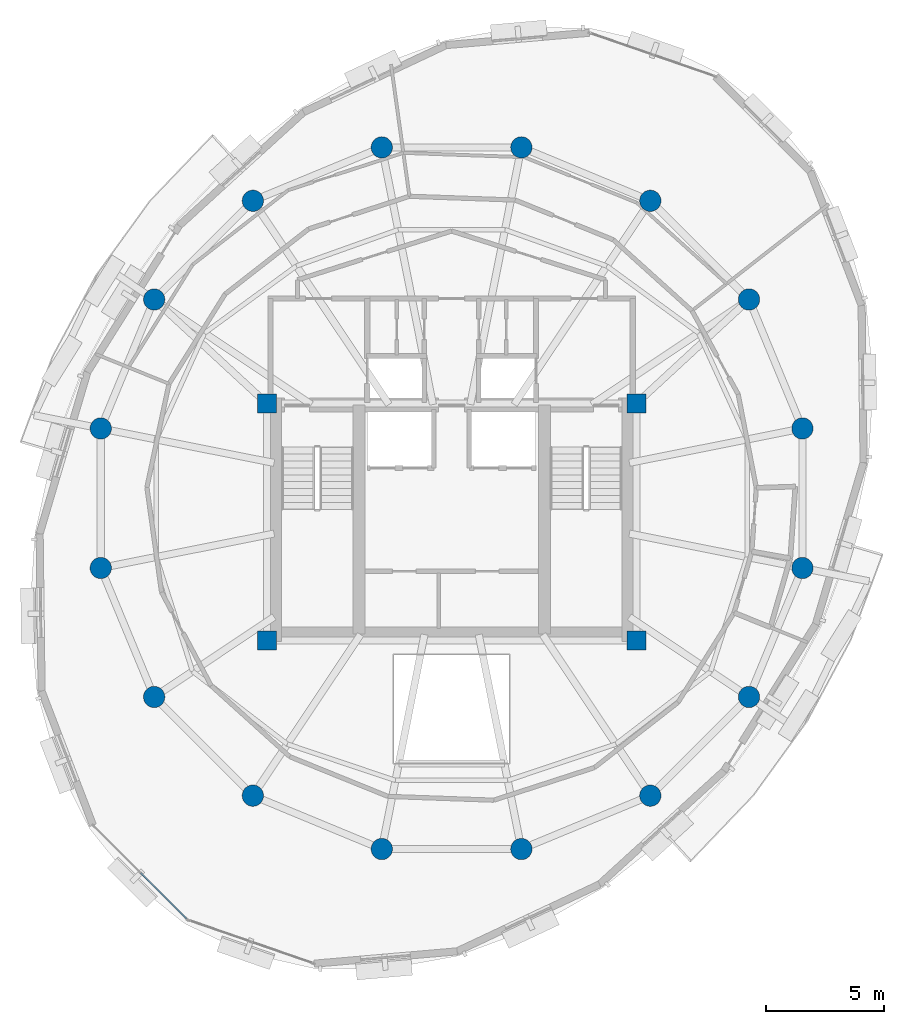
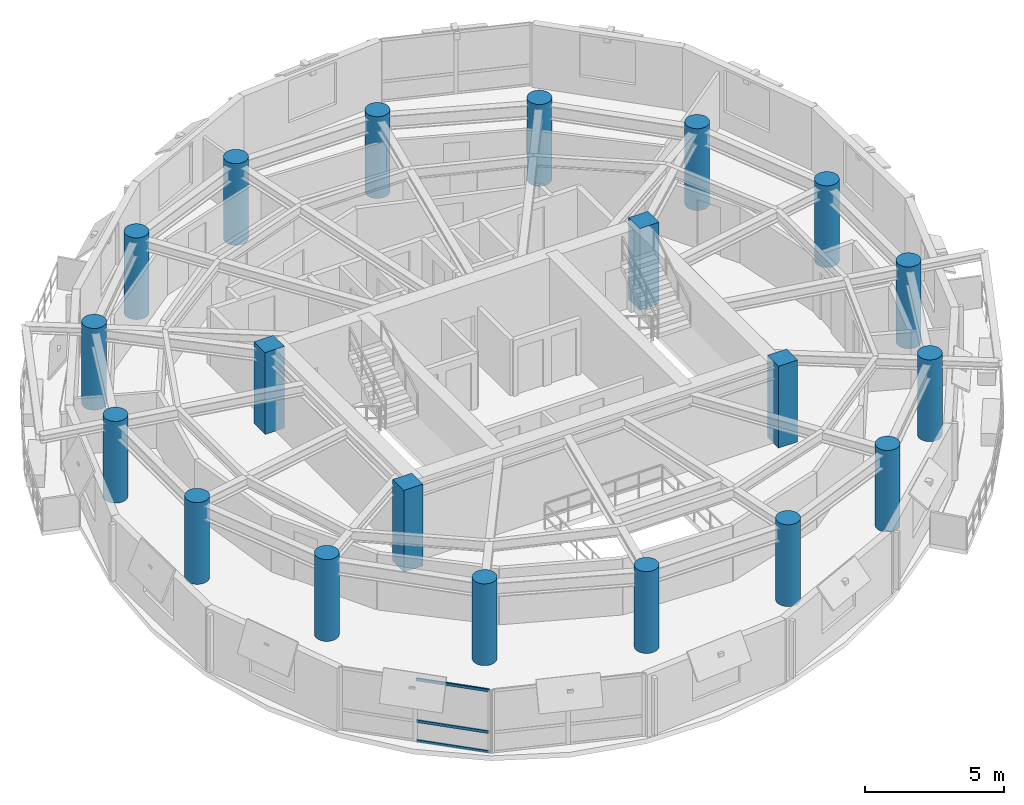
# One storey, part 1 of 11: 20 columns, 3 members, 1 element without a shape of its own.
"""IFC4 building model written with IfcOpenShell, lengths in metres."""

from ifc_helpers import new_model, si_unit, direction, frame, origin, origin_2d, place, context, subcontext, project, spatial, rectangle, hollow_rectangle, circle, extrude, material, layer, layer_set, material_profile, profile_set, type_object, element, aggregate, save


model = new_model("IFC4")

# Units and contexts
model_context = context("Model", 3, precision=1e-05, world=origin(), true_north=direction((0.0, 1.0)))
body_context = subcontext(model_context, "Body", "Model", "MODEL_VIEW")
ifc_project = project(units=[si_unit("LENGTHUNIT", "METRE"), si_unit("AREAUNIT", "SQUARE_METRE"), si_unit("VOLUMEUNIT", "CUBIC_METRE"), si_unit("PLANEANGLEUNIT", "RADIAN"), si_unit("MASSUNIT", "GRAM", prefix="KILO"), si_unit("THERMODYNAMICTEMPERATUREUNIT", "KELVIN"), si_unit("POWERUNIT", "WATT")], contexts=[model_context])

# Site, building, storey
site_placement = place(None, origin())
site = spatial("IfcSite", under=ifc_project, at=site_placement, CompositionType="ELEMENT")
building_placement = place(site_placement, origin())
building = spatial("IfcBuilding", under=site, at=building_placement, Name="Ocrelia Relay Tower", CompositionType="ELEMENT")
storey_placement = place(building_placement, frame((0.0, 0.0, 270.0)))
storey = spatial("IfcBuildingStorey", under=building, at=storey_placement, Name="L67", CompositionType="ELEMENT", Elevation=270.0)

# Columns
ifc_material_1 = material(Name="Concrete C50/60", Category="concrete")
ifc_material_profile_1 = material_profile(ifc_material_1, circle(Radius=0.449951171875, at=origin_2d()), Name="RC-CIR-900")
ifc_profile_set_1 = profile_set([ifc_material_profile_1], Name="Concrete C50/60")
column_type_1 = type_object("IfcColumnType", Name="COL-CT-900", PredefinedType="COLUMN", material=ifc_profile_set_1)
for number, where, z_axis, x_axis, name in (
    (1, (48.809814453125, 28.94580078125, 0.0), (0.0, 0.0, 1.0), (1.0, 0.0, 0.0), "L67 Perimeter Ring Column C01"),
    (2, (46.55517578125, 34.38916015625, 0.0), (0.0, 0.0, 1.0), (1.0, 0.0, 0.0), "L67 Perimeter Ring Column C02"),
    (3, (42.38916015625, 38.55517578125, 0.0), (0.0, 0.0, 1.0), (1.0, 0.0, 0.0), "L67 Perimeter Ring Column C03"),
    (4, (36.94580078125, 40.809814453125, 0.0), (0.0, 0.0, 1.0), (1.0, 0.0, 0.0), "L67 Perimeter Ring Column C04"),
    (5, (31.05419921875, 40.809814453125, 0.0), (0.0, 0.0, 1.0), (1.0, 0.0, 0.0), "L67 Perimeter Ring Column C05"),
    (6, (25.61083984375, 38.55517578125, 0.0), (0.0, 0.0, 1.0), (1.0, 0.0, 0.0), "L67 Perimeter Ring Column C06"),
    (7, (21.44482421875, 34.38916015625, 0.0), (0.0, 0.0, 1.0), (1.0, 0.0, 0.0), "L67 Perimeter Ring Column C07"),
    (8, (19.190185546875, 28.94580078125, 0.0), (0.0, 0.0, 1.0), (1.0, 0.0, 0.0), "L67 Perimeter Ring Column C08"),
    (9, (19.190185546875, 23.05419921875, 0.0), (0.0, 0.0, 1.0), (1.0, 0.0, 0.0), "L67 Perimeter Ring Column C09"),
    (10, (21.44482421875, 17.61083984375, 0.0), (0.0, 0.0, 1.0), (1.0, 0.0, 0.0), "L67 Perimeter Ring Column C10"),
    (11, (25.61083984375, 13.44482421875, 0.0), (0.0, 0.0, 1.0), (1.0, 0.0, 0.0), "L67 Perimeter Ring Column C11"),
    (12, (31.05419921875, 11.190185546875, 0.0), (0.0, 0.0, 1.0), (1.0, 0.0, 0.0), "L67 Perimeter Ring Column C12"),
    (13, (36.94580078125, 11.190185546875, 0.0), (0.0, 0.0, 1.0), (1.0, 0.0, 0.0), "L67 Perimeter Ring Column C13"),
    (14, (42.38916015625, 13.44482421875, 0.0), (0.0, 0.0, 1.0), (1.0, 0.0, 0.0), "L67 Perimeter Ring Column C14"),
    (15, (46.55517578125, 17.61083984375, 0.0), (0.0, 0.0, 1.0), (1.0, 0.0, 0.0), "L67 Perimeter Ring Column C15"),
    (16, (48.809814453125, 23.05419921875, 0.0), (0.0, 0.0, 1.0), (1.0, 0.0, 0.0), "L67 Perimeter Ring Column C16"),
):
    element("IfcColumn", number, at=place(storey_placement, frame(where, z_axis=z_axis, x_axis=x_axis)), inside=storey, type_object=column_type_1, Name=name, PredefinedType="COLUMN", context=body_context, shape_type="SweptSolid", body=[
        extrude(circle(Radius=0.449951171875, at=origin_2d()), origin(), (0.0, 0.0, 1.0), 3.60009765625),
    ])
ifc_material_2 = material(Name="Concrete C60/75", Category="concrete")
ifc_material_profile_2 = material_profile(ifc_material_2, rectangle(XDim=0.800048828125, YDim=0.800048828125, at=origin_2d()), Name="RC-COL-800x800")
ifc_profile_set_2 = profile_set([ifc_material_profile_2], Name="Concrete C60/75")
column_type_2 = type_object("IfcColumnType", Name="COL-PILASTER-800", PredefinedType="PILASTER", material=ifc_profile_set_2)
for number, where, z_axis, x_axis, name in (
    (17, (26.199951171875, 20.0, 0.0), (0.0, 0.0, 1.0), (1.0, 0.0, 0.0), "L67 Core Corner Pilaster SW"),
    (18, (41.800048828125, 20.0, 0.0), (0.0, 0.0, 1.0), (1.0, 0.0, 0.0), "L67 Core Corner Pilaster SE"),
    (19, (26.199951171875, 30.0, 0.0), (0.0, 0.0, 1.0), (1.0, 0.0, 0.0), "L67 Core Corner Pilaster NW"),
    (20, (41.800048828125, 30.0, 0.0), (0.0, 0.0, 1.0), (1.0, 0.0, 0.0), "L67 Core Corner Pilaster NE"),
):
    element("IfcColumn", number, at=place(storey_placement, frame(where, z_axis=z_axis, x_axis=x_axis)), inside=storey, type_object=column_type_2, Name=name, PredefinedType="PILASTER", context=body_context, shape_type="SweptSolid", body=[
        extrude(rectangle(XDim=0.800048828125, YDim=0.800048828125, at=origin_2d()), origin(), (0.0, 0.0, 1.0), 3.60009765625),
    ])

# Curtain wall, members
ifc_material_3 = material(Name="Aluminium and solar-control low-E glass", Category="aluminium")
ifc_layer = layer(ifc_material_3, 0.179931640625, Name="Aluminium and solar-control low-E glass")
ifc_layer_set = layer_set([ifc_layer], Name="Aluminium and solar-control low-E glass")
curtain_wall_type = type_object("IfcCurtainWallType", Name="CW-SYS-Z4-EXEC", PredefinedType="NOTDEFINED", material=ifc_layer_set)
curtain_wall_placement = place(storey_placement, origin())
curtain_wall = element("IfcCurtainWall", 21, at=curtain_wall_placement, inside=storey, type_object=curtain_wall_type, Name="L67 Elliptical Tower Curtain Wall Bay 09", PredefinedType="NOTDEFINED")
ifc_material_4 = material(Name="Anodised bronze aluminium", Category="aluminium")
ifc_material_profile_3 = material_profile(ifc_material_4, hollow_rectangle(XDim=0.06005859375, YDim=0.1201171875, WallThickness=0.0048828125, at=origin_2d()), Name="CW-TRN-120x60")
ifc_profile_set_3 = profile_set([ifc_material_profile_3], Name="Anodised bronze aluminium")
member_type = type_object("IfcMemberType", Name="CW-SYS-Z4-EXEC-TRN", PredefinedType="USERDEFINED", material=ifc_profile_set_3)
member_1_placement = place(storey_placement, frame((20.881591796875, 10.175537109375, 0.030029296875), z_axis=(0.707062029009, -0.707151530532, 0.0), x_axis=(0.707151530532, 0.707062029009, 0.0)))
member_1 = element("IfcMember", 22, at=member_1_placement, type_object=member_type, Name="CW-Z4 transom 2.1", ObjectType="TRANSOM", PredefinedType="USERDEFINED", context=body_context, shape_type="SweptSolid", body=[
    extrude(hollow_rectangle(XDim=0.06005859375, YDim=0.1201171875, WallThickness=0.0048828125, at=origin_2d()), origin(), (0.0, 0.0, 1.0), 2.727783203125),
])
member_2_placement = place(storey_placement, frame((20.881591796875, 10.175537109375, 0.89990234375), z_axis=(0.707062029009, -0.707151530532, 0.0), x_axis=(0.707151530532, 0.707062029009, 0.0)))
member_2 = element("IfcMember", 23, at=member_2_placement, type_object=member_type, Name="CW-Z4 transom 2.2", ObjectType="TRANSOM", PredefinedType="USERDEFINED", context=body_context, shape_type="SweptSolid", body=[
    extrude(hollow_rectangle(XDim=0.06005859375, YDim=0.1201171875, WallThickness=0.0048828125, at=origin_2d()), origin(), (0.0, 0.0, 1.0), 2.727783203125),
])
member_3_placement = place(storey_placement, frame((20.881591796875, 10.175537109375, 2.72998046875), z_axis=(0.707062029009, -0.707151530532, 0.0), x_axis=(0.707151530532, 0.707062029009, 0.0)))
member_3 = element("IfcMember", 24, at=member_3_placement, type_object=member_type, Name="CW-Z4 transom 2.3", ObjectType="TRANSOM", PredefinedType="USERDEFINED", context=body_context, shape_type="SweptSolid", body=[
    extrude(hollow_rectangle(XDim=0.06005859375, YDim=0.1201171875, WallThickness=0.0048828125, at=origin_2d()), origin(), (0.0, 0.0, 1.0), 2.727783203125),
])
aggregate(curtain_wall, [member_1, member_2, member_3])

save(model, "model.ifc")
